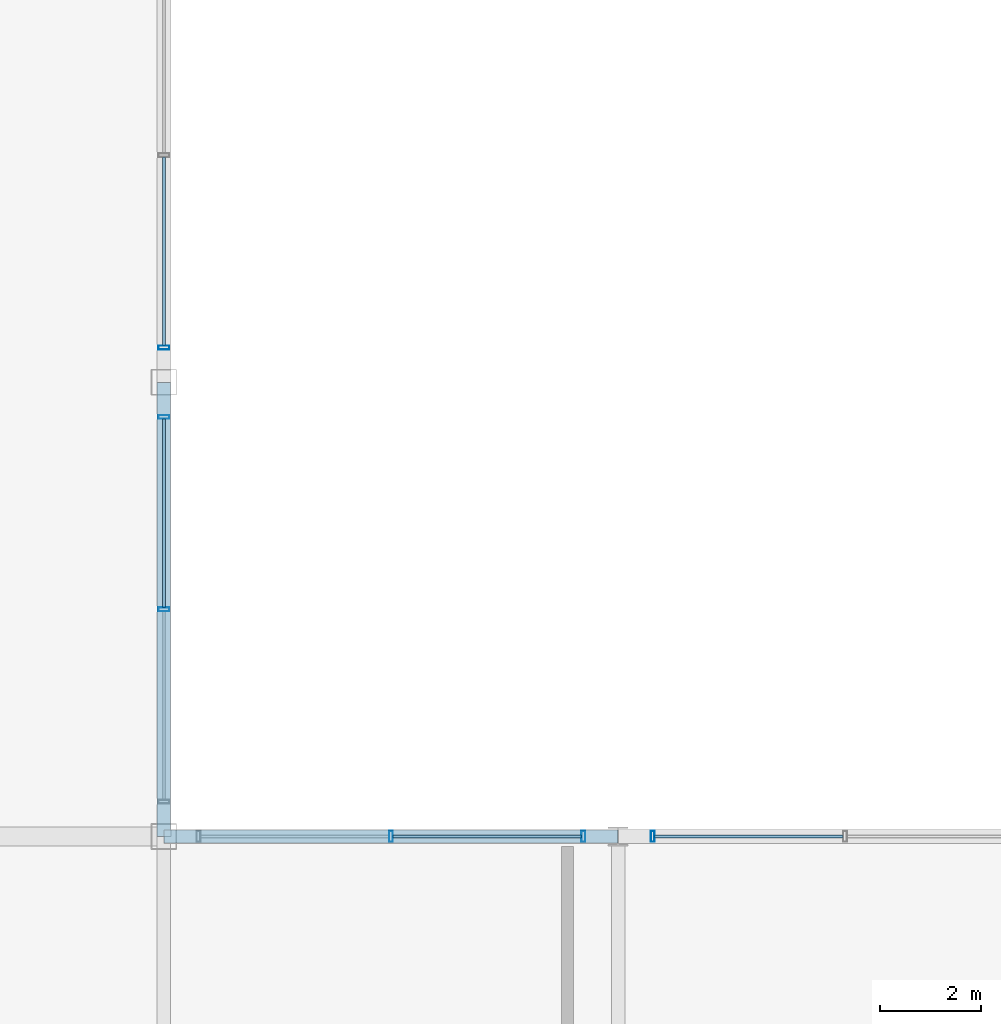
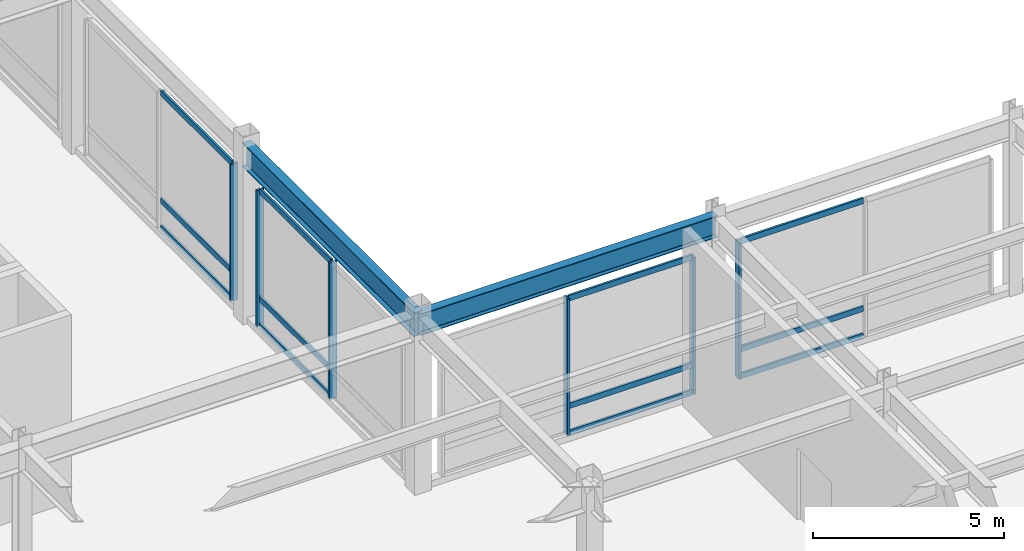
# One storey, part 60 of 108: 18 members, 2 beams, 4 elements without a shape of their own.
"""IFC4 building model written with IfcOpenShell, lengths in metres."""

import ifcopenshell
import ifcopenshell.guid

model = None  # the IFC model being written
_history = None  # IfcOwnerHistory: only IFC2X3 demands one
_inside = {}  # id of a spatial element -> (the spatial element, [elements in it])
_under = {}  # id of a project, library or spatial element -> (it, [spatial elements below it])
_declared = {}  # id of a project -> (the project, [libraries it declares])
_typed = {}  # id of a type object -> (the type object, [elements of that type])
_made_of = {}  # id of a material, layer set ... -> (it, [elements and type objects made of it])


def new_model(schema):
    """Start an empty IFC model of exactly this schema.

    Asked for "IFC4X3", IfcOpenShell would pick the latest addendum, in which some entities
    have other attributes; the version numbers below select the first issue.
    IFC2X3 requires an IfcOwnerHistory on every rooted entity: one is made here for all.
    """
    global model, _history
    if schema == "IFC4X3":
        model = ifcopenshell.file(schema_version=(4, 3, 0, 0))
    else:
        model = ifcopenshell.file(schema=schema)
    _inside.clear()
    _under.clear()
    _declared.clear()
    _typed.clear()
    _made_of.clear()
    _history = None
    if model.schema == "IFC2X3":
        org = make("IfcOrganization", Name="unknown")
        user = make(
            "IfcPersonAndOrganization",
            ThePerson=make("IfcPerson", FamilyName="unknown"),
            TheOrganization=org,
        )
        app = make(
            "IfcApplication",
            ApplicationDeveloper=org,
            Version="unknown",
            ApplicationFullName="unknown",
            ApplicationIdentifier="unknown",
        )
        _history = make(
            "IfcOwnerHistory",
            OwningUser=user,
            OwningApplication=app,
            ChangeAction="ADDED",
            CreationDate=0,
        )
    return model


def make(cls, **values):
    """One entity of the class cls with the attributes given. An attribute that is None is left unset."""
    return model.create_entity(
        cls, **{name: value for name, value in values.items() if value is not None}
    )


def rooted(cls, **values):
    """An entity with a GlobalId (a new one), such as an element, a storey or a relation."""
    return make(cls, GlobalId=ifcopenshell.guid.new(), OwnerHistory=_history, **values)


def si_unit(unit_type, name, prefix=None):
    """IfcSIUnit, for example si_unit("LENGTHUNIT", "METRE", prefix="MILLI")."""
    return make("IfcSIUnit", UnitType=unit_type, Prefix=prefix, Name=name)


def assignment(units):
    """IfcUnitAssignment: the units of a project."""
    return None if units is None else make("IfcUnitAssignment", Units=units)


def point(xyz):
    """IfcCartesianPoint."""
    return None if xyz is None else make("IfcCartesianPoint", Coordinates=xyz)


def direction(xyz):
    """IfcDirection."""
    return None if xyz is None else make("IfcDirection", DirectionRatios=xyz)


def frame(location, z_axis=None, x_axis=None):
    """IfcAxis2Placement3D, a coordinate frame: its origin and axes. An axis left out is left unset."""
    return make(
        "IfcAxis2Placement3D",
        Location=point(location),
        Axis=direction(z_axis),
        RefDirection=direction(x_axis),
    )


def frame_2d(location, x_axis=None):
    """IfcAxis2Placement2D, a coordinate frame in the plane: its origin and x axis."""
    return make(
        "IfcAxis2Placement2D", Location=point(location), RefDirection=direction(x_axis)
    )


def origin():
    """The frame at (0, 0, 0) with its axes left unset."""
    return frame((0.0, 0.0, 0.0))


def origin_2d():
    """The frame at (0, 0) in the plane with its x axis left unset."""
    return frame_2d((0.0, 0.0))


def place(relative_to, where):
    """IfcLocalPlacement: puts the frame where relative to a parent placement (None: the world)."""
    return make(
        "IfcLocalPlacement", PlacementRelTo=relative_to, RelativePlacement=where
    )


def context(
    kind, dimensions, precision=None, world=None, true_north=None, identifier=None
):
    """IfcGeometricRepresentationContext, for example the 3D "Model" context."""
    return make(
        "IfcGeometricRepresentationContext",
        ContextIdentifier=identifier,
        ContextType=kind,
        CoordinateSpaceDimension=dimensions,
        Precision=precision,
        WorldCoordinateSystem=world,
        TrueNorth=true_north,
    )


def subcontext(parent, identifier, kind, view, scale=None):
    """IfcGeometricRepresentationSubContext, for example "Body" below "Model"."""
    return make(
        "IfcGeometricRepresentationSubContext",
        ContextIdentifier=identifier,
        ContextType=kind,
        ParentContext=parent,
        TargetScale=scale,
        TargetView=view,
    )


def project(units=None, contexts=None):
    """IfcProject with its units and contexts."""
    return rooted(
        "IfcProject",
        Name="project",
        RepresentationContexts=contexts,
        UnitsInContext=assignment(units),
    )


def spatial(cls, under=None, at=None, **own):
    """A site, building, storey or space (cls), placed at a placement, below another one or the project."""
    s = rooted(cls, ObjectPlacement=at, **own)
    if under is not None:
        _under.setdefault(under.id(), (under, []))[1].append(s)
    return s


def profile(cls, at=None, kind="AREA", **sizes):
    """A parametric profile (cls). Its sizes go by their IFC names, for example OverallWidth=200.0."""
    return make(cls, ProfileType=kind, Position=at, **sizes)


def hollow_rectangle(**sizes):
    """IfcRectangleHollowProfileDef."""
    return profile("IfcRectangleHollowProfileDef", **sizes)


def i_section(**sizes):
    """IfcIShapeProfileDef."""
    return profile("IfcIShapeProfileDef", **sizes)


def extrude(swept, where, along, depth):
    """IfcExtrudedAreaSolid: the profile swept, set in the frame where, extruded along a direction by depth."""
    return make(
        "IfcExtrudedAreaSolid",
        SweptArea=swept,
        Position=where,
        ExtrudedDirection=direction(along),
        Depth=depth,
    )


def shape(context_of_items, identifier, shape_type, items):
    """IfcShapeRepresentation: the items that make up one representation, for example the "Body"."""
    return make(
        "IfcShapeRepresentation",
        ContextOfItems=context_of_items,
        RepresentationIdentifier=identifier,
        RepresentationType=shape_type,
        Items=items,
    )


def material(Name=None, Category=None):
    """IfcMaterial."""
    return make("IfcMaterial", Name=Name, Category=Category)


def material_profile(
    of_material, cross_section, Name=None, Category=None, Priority=None
):
    """IfcMaterialProfile: a cross section and its material."""
    return make(
        "IfcMaterialProfile",
        Name=Name,
        Material=of_material,
        Profile=cross_section,
        Priority=Priority,
        Category=Category,
    )


def profile_set(profiles, Name=None, composite=None):
    """IfcMaterialProfileSet."""
    return make(
        "IfcMaterialProfileSet",
        Name=Name,
        MaterialProfiles=profiles,
        CompositeProfile=composite,
    )


def made_of(thing, what):
    """Note that an element or type object is made of a material, layer set ...; save() writes the relation."""
    if what is not None:
        _made_of.setdefault(what.id(), (what, []))[1].append(thing)
    return thing


def type_object(cls, material=None, **own):
    """A type object (cls), such as IfcWallType, which elements share."""
    return made_of(rooted(cls, **own), material)


def element(
    cls,
    number,
    at=None,
    inside=None,
    cuts=None,
    type_object=None,
    material=None,
    context=None,
    identifier="Body",
    shape_type=None,
    held_by="IfcProductDefinitionShape",
    body=None,
    shapes=None,
    **own,
):
    """One element of the class cls, such as IfcWall. Its Tag is "e" and its number.

    at: its placement. inside: the storey or other place that contains it. cuts: it is an
    opening in that element (IfcRelVoidsElement). A single representation is given by context,
    identifier, shape_type and body (its items); several are given by shapes. held_by: the class
    of the entity that holds the representations. save() writes the other relations.
    """
    e = rooted(cls, Tag="e%d" % number, ObjectPlacement=at, **own)
    if body is not None:
        shapes = [shape(context, identifier, shape_type, body)]
    if shapes is not None:
        e.Representation = make(held_by, Representations=shapes)
    if inside is not None:
        _inside.setdefault(inside.id(), (inside, []))[1].append(e)
    if cuts is not None:
        rooted(
            "IfcRelVoidsElement", RelatingBuildingElement=cuts, RelatedOpeningElement=e
        )
    if type_object is not None:
        _typed.setdefault(type_object.id(), (type_object, []))[1].append(e)
    return made_of(e, material)


def aggregate(whole, parts):
    """IfcRelAggregates: a whole, such as a stair, and the parts it consists of."""
    return rooted("IfcRelAggregates", RelatingObject=whole, RelatedObjects=parts)


def save(model, path):
    """Write the relations noted so far, then the file.

    IfcRelAggregates (storeys below a building ...), IfcRelContainedInSpatialStructure (elements
    in a storey), IfcRelDefinesByType, IfcRelAssociatesMaterial and IfcRelDeclares: one each for
    every whole, place, type object, material and project.
    """
    for whole, parts in _under.values():
        aggregate(whole, parts)
    for where, things in _inside.values():
        rooted(
            "IfcRelContainedInSpatialStructure",
            RelatedElements=things,
            RelatingStructure=where,
        )
    for kind, things in _typed.values():
        rooted("IfcRelDefinesByType", RelatedObjects=things, RelatingType=kind)
    for what, things in _made_of.values():
        rooted("IfcRelAssociatesMaterial", RelatedObjects=things, RelatingMaterial=what)
    for by, libraries in _declared.values():
        rooted("IfcRelDeclares", RelatingContext=by, RelatedDefinitions=libraries)
    model.write(path)


model = new_model("IFC4")

# Units and contexts
model_context = context("Model", 3, precision=1e-05, world=origin(), true_north=direction((0.0, 1.0)))
body_context = subcontext(model_context, "Body", "Model", "MODEL_VIEW")
ifc_project = project(units=[si_unit("LENGTHUNIT", "METRE"), si_unit("AREAUNIT", "SQUARE_METRE"), si_unit("VOLUMEUNIT", "CUBIC_METRE"), si_unit("PLANEANGLEUNIT", "RADIAN"), si_unit("MASSUNIT", "GRAM", prefix="KILO")], contexts=[model_context])

# Site, building, storey
site_placement = place(None, origin())
site = spatial("IfcSite", under=ifc_project, at=site_placement, CompositionType="ELEMENT")
building_placement = place(site_placement, origin())
building = spatial("IfcBuilding", under=site, at=building_placement, Name="Kaldorvane Square Convention Centre", CompositionType="ELEMENT")
storey_placement = place(building_placement, frame((0.0, 0.0, 12.0)))
storey = spatial("IfcBuildingStorey", under=building, at=storey_placement, Name="L02", CompositionType="ELEMENT", Elevation=12.0)

# Beams
ifc_material_1 = material(Name="Steel ASTM A992 Gr. 50", Category="steel")
ifc_material_profile_1 = material_profile(ifc_material_1, i_section(OverallWidth=0.25439453125, OverallDepth=0.6880950927734375, WebThickness=0.0131072998046875, FlangeThickness=0.0211029052734375, FilletRadius=0.01519775390625, at=origin_2d()), Name="W27X102")
ifc_profile_set_1 = profile_set([ifc_material_profile_1], Name="Steel ASTM A992 Gr. 50")
beam_type_1 = type_object("IfcBeamType", Name="BM-GR-W27X102", PredefinedType="BEAM", material=ifc_profile_set_1)
beam_1_placement = place(storey_placement, frame((138.0, 36.0, 5.3018951416015625), z_axis=(1.0, 0.0, 0.0), x_axis=(0.0, 1.0, 0.0)))
element("IfcBeam", 1, at=beam_1_placement, inside=storey, type_object=beam_type_1, Name="Primary Girder (L02)", PredefinedType="BEAM", context=body_context, shape_type="SweptSolid", body=[
    extrude(i_section(OverallWidth=0.25439453125, OverallDepth=0.6880950927734375, WebThickness=0.0131072998046875, FlangeThickness=0.0211029052734375, FilletRadius=0.01519775390625, at=origin_2d()), origin(), (0.0, 0.0, 1.0), 9.0),
])
ifc_material_profile_2 = material_profile(ifc_material_1, i_section(OverallWidth=0.2666015625, OverallDepth=0.762298583984375, WebThickness=0.014404296875, FlangeThickness=0.0216064453125, FilletRadius=0.0164947509765625, at=origin_2d()), Name="W30X116")
ifc_profile_set_2 = profile_set([ifc_material_profile_2], Name="Steel ASTM A992 Gr. 50")
beam_type_2 = type_object("IfcBeamType", Name="BM-GR-W30X116", PredefinedType="BEAM", material=ifc_profile_set_2)
beam_2_placement = place(storey_placement, frame((138.0, 36.0, 5.264801025390625), z_axis=(0.0, 1.0, 0.0), x_axis=(-1.0, 0.0, 0.0)))
element("IfcBeam", 2, at=beam_2_placement, inside=storey, type_object=beam_type_2, Name="Transverse Girder (L02)", PredefinedType="BEAM", context=body_context, shape_type="SweptSolid", body=[
    extrude(i_section(OverallWidth=0.2666015625, OverallDepth=0.762298583984375, WebThickness=0.014404296875, FlangeThickness=0.0216064453125, FilletRadius=0.0164947509765625, at=origin_2d()), origin(), (0.0, 0.0, 1.0), 9.0),
])

# Curtain wall, members
ifc_material_2 = material(Name="Anodized Aluminum and Low-E Insulated Glazing", Category="aluminium")
curtain_wall_type = type_object("IfcCurtainWallType", Name="CW-PTS-FC-60", PredefinedType="USERDEFINED", material=ifc_material_2)
curtain_wall_1_placement = place(storey_placement, origin())
curtain_wall_1 = element("IfcCurtainWall", 3, at=curtain_wall_1_placement, inside=storey, type_object=curtain_wall_type, Name="Curtain Wall CW-07 (L02)", ObjectType="POINT SUPPORTED GLAZING", PredefinedType="USERDEFINED")
ifc_material_profile_3 = material_profile(ifc_material_2, hollow_rectangle(XDim=0.0749969482421875, YDim=0.220001220703125, WallThickness=0.003997802734375, at=origin_2d()), Name="CWM-220X75")
ifc_profile_set_3 = profile_set([ifc_material_profile_3], Name="Anodized Aluminum and Low-E Insulated Glazing")
member_type_1 = type_object("IfcMemberType", Name="CW-MUL-220", PredefinedType="MULLION", material=ifc_profile_set_3)
member_1_placement = place(storey_placement, frame((146.3125, 36.0, 0.149993896484375), z_axis=(0.0, 0.0, 1.0), x_axis=(-1.0, 0.0, 0.0)))
member_1 = element("IfcMember", 4, at=member_1_placement, type_object=member_type_1, Name="CW-07 mullion 1", PredefinedType="MULLION", context=body_context, shape_type="SweptSolid", body=[
    extrude(hollow_rectangle(XDim=0.0749969482421875, YDim=0.220001220703125, WallThickness=0.003997802734375, at=origin_2d()), origin(), (0.0, 0.0, 1.0), 4.3800048828125),
])
member_2_placement = place(storey_placement, frame((142.5, 36.0, 0.149993896484375), z_axis=(0.0, 0.0, 1.0), x_axis=(-1.0, 0.0, 0.0)))
member_2 = element("IfcMember", 5, at=member_2_placement, type_object=member_type_1, Name="CW-07 mullion 2", PredefinedType="MULLION", context=body_context, shape_type="SweptSolid", body=[
    extrude(hollow_rectangle(XDim=0.0749969482421875, YDim=0.220001220703125, WallThickness=0.003997802734375, at=origin_2d()), origin(), (0.0, 0.0, 1.0), 4.3800048828125),
])

# Curtain wall, member
curtain_wall_2_placement = place(storey_placement, origin())
curtain_wall_2 = element("IfcCurtainWall", 6, at=curtain_wall_2_placement, inside=storey, type_object=curtain_wall_type, Name="Curtain Wall CW-07 (L02)", ObjectType="POINT SUPPORTED GLAZING", PredefinedType="USERDEFINED")
member_3_placement = place(storey_placement, frame((147.6875, 36.0, 0.149993896484375), z_axis=(0.0, 0.0, 1.0), x_axis=(-1.0, 0.0, 0.0)))
member_3 = element("IfcMember", 7, at=member_3_placement, type_object=member_type_1, Name="CW-07 mullion 3", PredefinedType="MULLION", context=body_context, shape_type="SweptSolid", body=[
    extrude(hollow_rectangle(XDim=0.0749969482421875, YDim=0.220001220703125, WallThickness=0.003997802734375, at=origin_2d()), origin(), (0.0, 0.0, 1.0), 4.3800048828125),
])

# Curtain wall, members
curtain_wall_3_placement = place(storey_placement, origin())
curtain_wall_3 = element("IfcCurtainWall", 8, at=curtain_wall_3_placement, inside=storey, type_object=curtain_wall_type, Name="Curtain Wall CW-07 (L02)", ObjectType="POINT SUPPORTED GLAZING", PredefinedType="USERDEFINED")
member_4_placement = place(storey_placement, frame((138.0, 40.5, 0.149993896484375), z_axis=(0.0, 0.0, 1.0), x_axis=(0.0, 1.0, 0.0)))
member_4 = element("IfcMember", 9, at=member_4_placement, type_object=member_type_1, Name="CW-07 mullion 2", PredefinedType="MULLION", context=body_context, shape_type="SweptSolid", body=[
    extrude(hollow_rectangle(XDim=0.0749969482421875, YDim=0.220001220703125, WallThickness=0.003997802734375, at=origin_2d()), origin(), (0.0, 0.0, 1.0), 4.3800048828125),
])
member_5_placement = place(storey_placement, frame((138.0, 44.3125, 0.149993896484375), z_axis=(0.0, 0.0, 1.0), x_axis=(0.0, 1.0, 0.0)))
member_5 = element("IfcMember", 10, at=member_5_placement, type_object=member_type_1, Name="CW-07 mullion 3", PredefinedType="MULLION", context=body_context, shape_type="SweptSolid", body=[
    extrude(hollow_rectangle(XDim=0.0749969482421875, YDim=0.220001220703125, WallThickness=0.003997802734375, at=origin_2d()), origin(), (0.0, 0.0, 1.0), 4.3800048828125),
])

# Curtain wall, member
curtain_wall_4_placement = place(storey_placement, origin())
curtain_wall_4 = element("IfcCurtainWall", 11, at=curtain_wall_4_placement, inside=storey, type_object=curtain_wall_type, Name="Curtain Wall CW-07 (L02)", ObjectType="POINT SUPPORTED GLAZING", PredefinedType="USERDEFINED")
member_6_placement = place(storey_placement, frame((138.0, 45.6875, 0.149993896484375), z_axis=(0.0, 0.0, 1.0), x_axis=(0.0, 1.0, 0.0)))
member_6 = element("IfcMember", 12, at=member_6_placement, type_object=member_type_1, Name="CW-07 mullion 1", PredefinedType="MULLION", context=body_context, shape_type="SweptSolid", body=[
    extrude(hollow_rectangle(XDim=0.0749969482421875, YDim=0.220001220703125, WallThickness=0.003997802734375, at=origin_2d()), origin(), (0.0, 0.0, 1.0), 4.3800048828125),
])

# Member
ifc_material_profile_4 = material_profile(ifc_material_2, hollow_rectangle(XDim=0.06500244140625, YDim=0.17999267578125, WallThickness=0.0034942626953125, at=origin_2d()), Name="CWT-180X65")
ifc_profile_set_4 = profile_set([ifc_material_profile_4], Name="Anodized Aluminum and Low-E Insulated Glazing")
member_type_2 = type_object("IfcMemberType", Name="CW-TRN-180", PredefinedType="USERDEFINED", material=ifc_profile_set_4)
member_7_placement = place(storey_placement, frame((146.27499389648438, 36.0, 0.1824951171875), z_axis=(-1.0, 0.0, 0.0), x_axis=(0.0, -1.0, 0.0)))
member_7 = element("IfcMember", 13, at=member_7_placement, type_object=member_type_2, Name="CW-07 transom 1.1", ObjectType="TRANSOM", PredefinedType="USERDEFINED", context=body_context, shape_type="SweptSolid", body=[
    extrude(hollow_rectangle(XDim=0.06500244140625, YDim=0.17999267578125, WallThickness=0.0034942626953125, at=origin_2d()), origin(), (0.0, 0.0, 1.0), 3.73748779296875),
])

member_8_placement = place(storey_placement, frame((146.27499389648438, 36.0, 1.0500030517578125), z_axis=(-1.0, 0.0, 0.0), x_axis=(0.0, -1.0, 0.0)))
member_8 = element("IfcMember", 14, at=member_8_placement, type_object=member_type_2, Name="CW-07 transom 1.2", ObjectType="TRANSOM", PredefinedType="USERDEFINED", context=body_context, shape_type="SweptSolid", body=[
    extrude(hollow_rectangle(XDim=0.06500244140625, YDim=0.17999267578125, WallThickness=0.0034942626953125, at=origin_2d()), origin(), (0.0, 0.0, 1.0), 3.73748779296875),
])

member_9_placement = place(storey_placement, frame((146.27499389648438, 36.0, 4.49749755859375), z_axis=(-1.0, 0.0, 0.0), x_axis=(0.0, -1.0, 0.0)))
member_9 = element("IfcMember", 15, at=member_9_placement, type_object=member_type_2, Name="CW-07 transom 1.3", ObjectType="TRANSOM", PredefinedType="USERDEFINED", context=body_context, shape_type="SweptSolid", body=[
    extrude(hollow_rectangle(XDim=0.06500244140625, YDim=0.17999267578125, WallThickness=0.0034942626953125, at=origin_2d()), origin(), (0.0, 0.0, 1.0), 3.73748779296875),
])

aggregate(curtain_wall_1, [member_1, member_2, member_7, member_8, member_9])

member_10_placement = place(storey_placement, frame((151.46249389648438, 36.0, 0.1824951171875), z_axis=(-1.0, 0.0, 0.0), x_axis=(0.0, -1.0, 0.0)))
member_10 = element("IfcMember", 16, at=member_10_placement, type_object=member_type_2, Name="CW-07 transom 2.1", ObjectType="TRANSOM", PredefinedType="USERDEFINED", context=body_context, shape_type="SweptSolid", body=[
    extrude(hollow_rectangle(XDim=0.06500244140625, YDim=0.17999267578125, WallThickness=0.0034942626953125, at=origin_2d()), origin(), (0.0, 0.0, 1.0), 3.73748779296875),
])

member_11_placement = place(storey_placement, frame((151.46249389648438, 36.0, 1.0500030517578125), z_axis=(-1.0, 0.0, 0.0), x_axis=(0.0, -1.0, 0.0)))
member_11 = element("IfcMember", 17, at=member_11_placement, type_object=member_type_2, Name="CW-07 transom 2.2", ObjectType="TRANSOM", PredefinedType="USERDEFINED", context=body_context, shape_type="SweptSolid", body=[
    extrude(hollow_rectangle(XDim=0.06500244140625, YDim=0.17999267578125, WallThickness=0.0034942626953125, at=origin_2d()), origin(), (0.0, 0.0, 1.0), 3.73748779296875),
])

member_12_placement = place(storey_placement, frame((151.46249389648438, 36.0, 4.49749755859375), z_axis=(-1.0, 0.0, 0.0), x_axis=(0.0, -1.0, 0.0)))
member_12 = element("IfcMember", 18, at=member_12_placement, type_object=member_type_2, Name="CW-07 transom 2.3", ObjectType="TRANSOM", PredefinedType="USERDEFINED", context=body_context, shape_type="SweptSolid", body=[
    extrude(hollow_rectangle(XDim=0.06500244140625, YDim=0.17999267578125, WallThickness=0.0034942626953125, at=origin_2d()), origin(), (0.0, 0.0, 1.0), 3.73748779296875),
])

aggregate(curtain_wall_2, [member_3, member_10, member_11, member_12])

member_13_placement = place(storey_placement, frame((138.0, 40.537506103515625, 0.1824951171875), z_axis=(0.0, 1.0, 0.0), x_axis=(-1.0, 0.0, 0.0)))
member_13 = element("IfcMember", 19, at=member_13_placement, type_object=member_type_2, Name="CW-07 transom 2.1", ObjectType="TRANSOM", PredefinedType="USERDEFINED", context=body_context, shape_type="SweptSolid", body=[
    extrude(hollow_rectangle(XDim=0.06500244140625, YDim=0.17999267578125, WallThickness=0.0034942626953125, at=origin_2d()), origin(), (0.0, 0.0, 1.0), 3.73748779296875),
])

member_14_placement = place(storey_placement, frame((138.0, 40.537506103515625, 1.0500030517578125), z_axis=(0.0, 1.0, 0.0), x_axis=(-1.0, 0.0, 0.0)))
member_14 = element("IfcMember", 20, at=member_14_placement, type_object=member_type_2, Name="CW-07 transom 2.2", ObjectType="TRANSOM", PredefinedType="USERDEFINED", context=body_context, shape_type="SweptSolid", body=[
    extrude(hollow_rectangle(XDim=0.06500244140625, YDim=0.17999267578125, WallThickness=0.0034942626953125, at=origin_2d()), origin(), (0.0, 0.0, 1.0), 3.73748779296875),
])

member_15_placement = place(storey_placement, frame((138.0, 40.537506103515625, 4.49749755859375), z_axis=(0.0, 1.0, 0.0), x_axis=(-1.0, 0.0, 0.0)))
member_15 = element("IfcMember", 21, at=member_15_placement, type_object=member_type_2, Name="CW-07 transom 2.3", ObjectType="TRANSOM", PredefinedType="USERDEFINED", context=body_context, shape_type="SweptSolid", body=[
    extrude(hollow_rectangle(XDim=0.06500244140625, YDim=0.17999267578125, WallThickness=0.0034942626953125, at=origin_2d()), origin(), (0.0, 0.0, 1.0), 3.73748779296875),
])

aggregate(curtain_wall_3, [member_4, member_5, member_13, member_14, member_15])

member_16_placement = place(storey_placement, frame((138.0, 45.725006103515625, 0.1824951171875), z_axis=(0.0, 1.0, 0.0), x_axis=(-1.0, 0.0, 0.0)))
member_16 = element("IfcMember", 22, at=member_16_placement, type_object=member_type_2, Name="CW-07 transom 1.1", ObjectType="TRANSOM", PredefinedType="USERDEFINED", context=body_context, shape_type="SweptSolid", body=[
    extrude(hollow_rectangle(XDim=0.06500244140625, YDim=0.17999267578125, WallThickness=0.0034942626953125, at=origin_2d()), origin(), (0.0, 0.0, 1.0), 3.73748779296875),
])

member_17_placement = place(storey_placement, frame((138.0, 45.725006103515625, 1.0500030517578125), z_axis=(0.0, 1.0, 0.0), x_axis=(-1.0, 0.0, 0.0)))
member_17 = element("IfcMember", 23, at=member_17_placement, type_object=member_type_2, Name="CW-07 transom 1.2", ObjectType="TRANSOM", PredefinedType="USERDEFINED", context=body_context, shape_type="SweptSolid", body=[
    extrude(hollow_rectangle(XDim=0.06500244140625, YDim=0.17999267578125, WallThickness=0.0034942626953125, at=origin_2d()), origin(), (0.0, 0.0, 1.0), 3.73748779296875),
])

member_18_placement = place(storey_placement, frame((138.0, 45.725006103515625, 4.49749755859375), z_axis=(0.0, 1.0, 0.0), x_axis=(-1.0, 0.0, 0.0)))
member_18 = element("IfcMember", 24, at=member_18_placement, type_object=member_type_2, Name="CW-07 transom 1.3", ObjectType="TRANSOM", PredefinedType="USERDEFINED", context=body_context, shape_type="SweptSolid", body=[
    extrude(hollow_rectangle(XDim=0.06500244140625, YDim=0.17999267578125, WallThickness=0.0034942626953125, at=origin_2d()), origin(), (0.0, 0.0, 1.0), 3.73748779296875),
])

aggregate(curtain_wall_4, [member_6, member_16, member_17, member_18])

save(model, "model.ifc")
